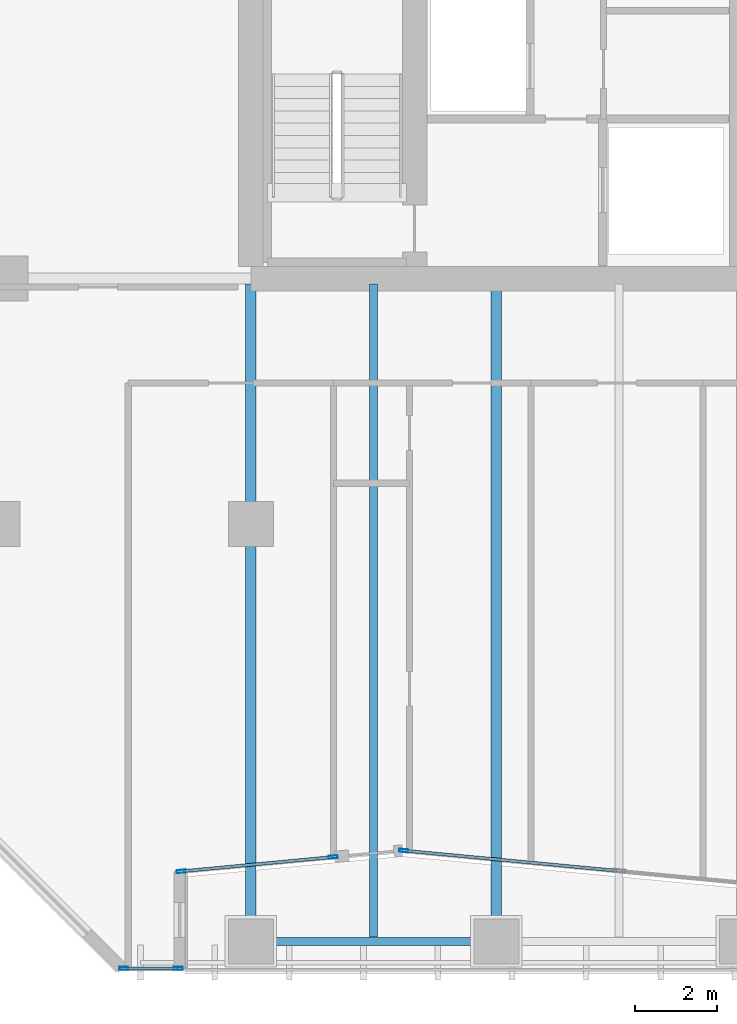
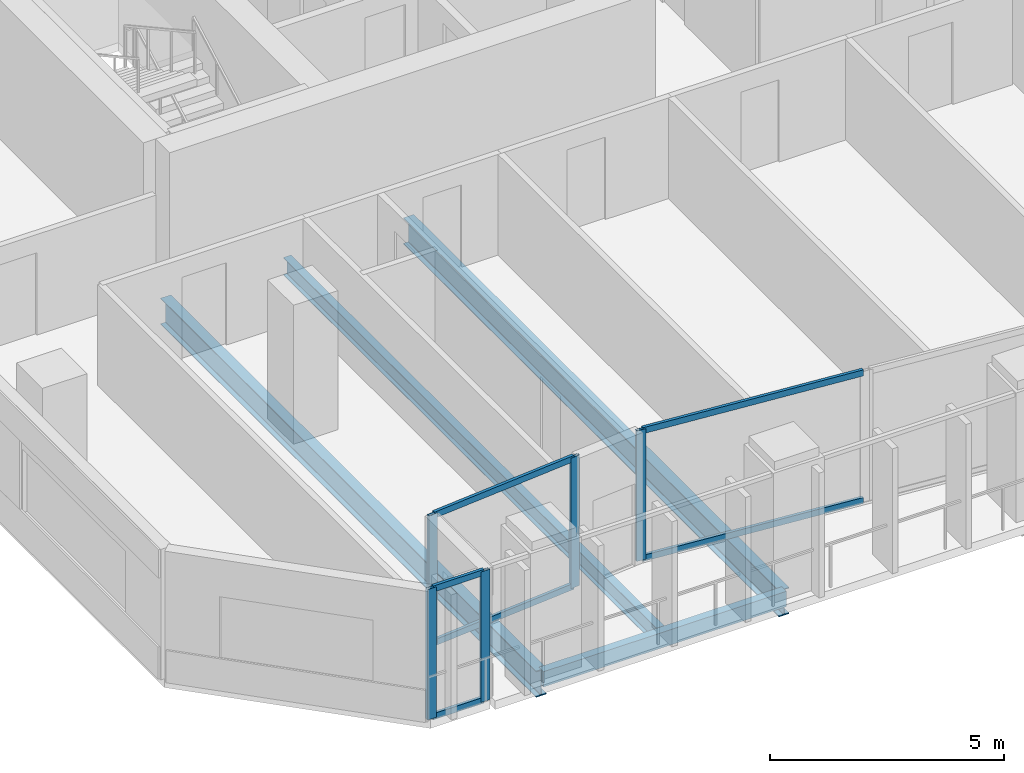
# One storey, part 2 of 31: 11 members, 4 beams, 3 elements without a shape of their own.
"""IFC4 building model written with IfcOpenShell, lengths in metres."""

from ifc_helpers import new_model, si_unit, direction, frame, origin, origin_2d, place, context, subcontext, project, spatial, hollow_rectangle, i_section, extrude, material, layer, layer_set, material_profile, profile_set, type_object, element, aggregate, save


model = new_model("IFC4")

# Units and contexts
model_context = context("Model", 3, precision=1e-05, world=origin(), true_north=direction((0.0, 1.0)))
body_context = subcontext(model_context, "Body", "Model", "MODEL_VIEW")
ifc_project = project(units=[si_unit("LENGTHUNIT", "METRE"), si_unit("AREAUNIT", "SQUARE_METRE"), si_unit("VOLUMEUNIT", "CUBIC_METRE"), si_unit("PLANEANGLEUNIT", "RADIAN"), si_unit("MASSUNIT", "GRAM", prefix="KILO")], contexts=[model_context])

# Site, building, storey
site_placement = place(None, origin())
site = spatial("IfcSite", under=ifc_project, at=site_placement, CompositionType="ELEMENT")
building_placement = place(site_placement, origin())
building = spatial("IfcBuilding", under=site, at=building_placement, Name="Tanjung Sevakor Pilgrim Tower", CompositionType="ELEMENT")
storey_placement = place(building_placement, frame((0.0, 0.0, 58.739990234375)))
storey = spatial("IfcBuildingStorey", under=building, at=storey_placement, Name="L16", CompositionType="ELEMENT", Elevation=58.739990234375)

# Beams
ifc_material_1 = material(Name="Steel S355J2", Category="steel")
ifc_material_profile_1 = material_profile(ifc_material_1, i_section(OverallWidth=0.25439453125, OverallDepth=0.6875, WebThickness=0.01318359375, FlangeThickness=0.02099609375, FilletRadius=0.01513671875, at=origin_2d()))
ifc_profile_set_1 = profile_set([ifc_material_profile_1], Name="Steel S355J2")
beam_type_1 = type_object("IfcBeamType", Name="BM-B-G2-UB_686x254x152", PredefinedType="BEAM", material=ifc_profile_set_1)
for number, where, z_axis, x_axis, name in (
    (1, (24.0, 8.39990234375, -0.563720703125), (0.0, 1.0, 0.0), (-1.0, 0.0, 0.0), "L16 MAIN Girder 001"),
    (2, (30.0, 8.39990234375, -0.563720703125), (0.0, 1.0, 0.0), (-1.0, 0.0, 0.0), "L16 MAIN Girder 005"),
):
    element("IfcBeam", number, at=place(storey_placement, frame(where, z_axis=z_axis, x_axis=x_axis)), inside=storey, type_object=beam_type_1, Name=name, PredefinedType="BEAM", context=body_context, shape_type="SweptSolid", body=[
        extrude(i_section(OverallWidth=0.25439453125, OverallDepth=0.6875, WebThickness=0.01318359375, FlangeThickness=0.02099609375, FilletRadius=0.01513671875, at=origin_2d()), origin(), (0.0, 0.0, 1.0), 16.066162109375),
    ])
ifc_material_2 = material(Name="Steel S355J2", Category="steel")
ifc_material_profile_2 = material_profile(ifc_material_2, i_section(OverallWidth=0.19140625, OverallDepth=0.4599609375, WebThickness=0.010009765625, FlangeThickness=0.01611328125, FilletRadius=0.01025390625, at=origin_2d()))
ifc_profile_set_2 = profile_set([ifc_material_profile_2], Name="Steel S355J2")
beam_type_2 = type_object("IfcBeamType", Name="BM-B-J2-UB_457x191x82", PredefinedType="JOIST", material=ifc_profile_set_2)
beam_1_placement = place(storey_placement, frame((27.0, 8.5, -0.449951171875), z_axis=(0.0, 1.0, 0.0), x_axis=(-1.0, 0.0, 0.0)))
element("IfcBeam", 3, at=beam_1_placement, inside=storey, type_object=beam_type_2, Name="L16 MAIN Joist 003", PredefinedType="JOIST", context=body_context, shape_type="SweptSolid", body=[
    extrude(i_section(OverallWidth=0.19140625, OverallDepth=0.4599609375, WebThickness=0.010009765625, FlangeThickness=0.01611328125, FilletRadius=0.01025390625, at=origin_2d()), origin(), (0.0, 0.0, 1.0), 15.966064453125),
])
ifc_material_3 = material(Name="Steel S355J2", Category="steel")
ifc_material_profile_3 = material_profile(ifc_material_3, hollow_rectangle(XDim=0.199951171875, YDim=0.39990234375, WallThickness=0.01611328125, at=origin_2d()))
ifc_profile_set_3 = profile_set([ifc_material_profile_3], Name="Steel S355J2")
beam_type_3 = type_object("IfcBeamType", Name="BM-B-SP2-RHS_400x200x16", PredefinedType="SPANDREL", material=ifc_profile_set_3)
beam_2_placement = place(storey_placement, frame((24.0, 8.39990234375, -0.419921875), z_axis=(1.0, 0.0, 0.0), x_axis=(0.0, 1.0, 0.0)))
element("IfcBeam", 4, at=beam_2_placement, inside=storey, type_object=beam_type_3, Name="L16 Spandrel MAIN S-01", PredefinedType="SPANDREL", context=body_context, shape_type="SweptSolid", body=[
    extrude(hollow_rectangle(XDim=0.199951171875, YDim=0.39990234375, WallThickness=0.01611328125, at=origin_2d()), origin(), (0.0, 0.0, 1.0), 6.0),
])

# Curtain wall, members
ifc_material_4 = material(Name="Aluminium 6063-T6 and Low-E Glass", Category="aluminium")
ifc_layer = layer(ifc_material_4, 0.199951171875)
ifc_layer_set = layer_set([ifc_layer], Name="CW-SYS-PRAY")
curtain_wall_type = type_object("IfcCurtainWallType", Name="CW-SYS-PRAY", PredefinedType="NOTDEFINED", material=ifc_layer_set)
curtain_wall_1_placement = place(storey_placement, origin())
curtain_wall_1 = element("IfcCurtainWall", 5, at=curtain_wall_1_placement, inside=storey, type_object=curtain_wall_type, Name="L16 Curtain Wall CW-PRY-L16-0", PredefinedType="NOTDEFINED")
ifc_material_5 = material(Name="Aluminium 6063-T6", Category="aluminium")
ifc_material_profile_4 = material_profile(ifc_material_5, hollow_rectangle(XDim=0.074951171875, YDim=0.219970703125, WallThickness=0.0048828125, at=origin_2d()))
ifc_profile_set_4 = profile_set([ifc_material_profile_4], Name="Aluminium 6063-T6")
member_type_1 = type_object("IfcMemberType", Name="TYPE-CWM-2", PredefinedType="MULLION", material=ifc_profile_set_4)
member_1_placement = place(storey_placement, frame((20.8955078125, 7.739990234375, 0.0), z_axis=(0.0, 0.0, 1.0), x_axis=(0.0, 1.0, 0.0)))
member_1 = element("IfcMember", 6, at=member_1_placement, type_object=member_type_1, Name="CW-PRY mullion 1", PredefinedType="MULLION", context=body_context, shape_type="SweptSolid", body=[
    extrude(hollow_rectangle(XDim=0.074951171875, YDim=0.219970703125, WallThickness=0.0048828125, at=origin_2d()), origin(), (0.0, 0.0, 1.0), 3.409912109375),
])
member_2_placement = place(storey_placement, frame((22.222412109375, 7.739990234375, 0.0), z_axis=(0.0, 0.0, 1.0), x_axis=(0.0, 1.0, 0.0)))
member_2 = element("IfcMember", 7, at=member_2_placement, type_object=member_type_1, Name="CW-PRY mullion 2", PredefinedType="MULLION", context=body_context, shape_type="SweptSolid", body=[
    extrude(hollow_rectangle(XDim=0.074951171875, YDim=0.219970703125, WallThickness=0.0048828125, at=origin_2d()), origin(), (0.0, 0.0, 1.0), 3.409912109375),
])

curtain_wall_2_placement = place(storey_placement, origin())
curtain_wall_2 = element("IfcCurtainWall", 8, at=curtain_wall_2_placement, inside=storey, type_object=curtain_wall_type, Name="L16 Curtain Wall CW-PRY-L16-2A", PredefinedType="NOTDEFINED")
member_3_placement = place(storey_placement, frame((22.29736328125, 10.11083984375, 0.0), z_axis=(0.0, 0.0, 1.0), x_axis=(-0.09392210299, 0.995579549092, 0.0)))
member_3 = element("IfcMember", 9, at=member_3_placement, type_object=member_type_1, Name="CW-PRY mullion 1", PredefinedType="MULLION", context=body_context, shape_type="SweptSolid", body=[
    extrude(hollow_rectangle(XDim=0.074951171875, YDim=0.219970703125, WallThickness=0.0048828125, at=origin_2d()), origin(), (0.0, 0.0, 1.0), 3.409912109375),
])
member_4_placement = place(storey_placement, frame((26.010009765625, 10.461181640625, 0.0), z_axis=(0.0, 0.0, 1.0), x_axis=(-0.09392210299, 0.995579549092, 0.0)))
member_4 = element("IfcMember", 10, at=member_4_placement, type_object=member_type_1, Name="CW-PRY mullion 2", PredefinedType="MULLION", context=body_context, shape_type="SweptSolid", body=[
    extrude(hollow_rectangle(XDim=0.074951171875, YDim=0.219970703125, WallThickness=0.0048828125, at=origin_2d()), origin(), (0.0, 0.0, 1.0), 3.409912109375),
])

# Curtain wall, member
curtain_wall_3_placement = place(storey_placement, origin())
curtain_wall_3 = element("IfcCurtainWall", 11, at=curtain_wall_3_placement, inside=storey, type_object=curtain_wall_type, Name="L16 Curtain Wall CW-PRY-L16-3", PredefinedType="NOTDEFINED")
member_5_placement = place(storey_placement, frame((27.7373046875, 10.6171875, 0.0), z_axis=(0.0, 0.0, 1.0), x_axis=(0.09391593637, 0.995580130826, 0.0)))
member_5 = element("IfcMember", 12, at=member_5_placement, type_object=member_type_1, Name="CW-PRY mullion 1", PredefinedType="MULLION", context=body_context, shape_type="SweptSolid", body=[
    extrude(hollow_rectangle(XDim=0.074951171875, YDim=0.219970703125, WallThickness=0.0048828125, at=origin_2d()), origin(), (0.0, 0.0, 1.0), 3.409912109375),
])

# Member
ifc_material_6 = material(Name="Aluminium 6063-T6", Category="aluminium")
ifc_material_profile_5 = material_profile(ifc_material_6, hollow_rectangle(XDim=0.074951171875, YDim=0.159912109375, WallThickness=0.00439453125, at=origin_2d()))
ifc_profile_set_5 = profile_set([ifc_material_profile_5], Name="Aluminium 6063-T6")
member_type_2 = type_object("IfcMemberType", Name="TYPE-CWT-2", PredefinedType="USERDEFINED", material=ifc_profile_set_5)
member_6_placement = place(storey_placement, frame((20.93310546875, 7.739990234375, 0.03759765625), z_axis=(1.0, 0.0, 0.0), x_axis=(0.0, 1.0, 0.0)))
member_6 = element("IfcMember", 13, at=member_6_placement, type_object=member_type_2, Name="CW-PRY transom 1.1", ObjectType="TRANSOM", PredefinedType="USERDEFINED", context=body_context, shape_type="SweptSolid", body=[
    extrude(hollow_rectangle(XDim=0.074951171875, YDim=0.159912109375, WallThickness=0.00439453125, at=origin_2d()), origin(), (0.0, 0.0, 1.0), 1.251953125),
])

member_7_placement = place(storey_placement, frame((20.93310546875, 7.739990234375, 3.37255859375), z_axis=(1.0, 0.0, 0.0), x_axis=(0.0, 1.0, 0.0)))
member_7 = element("IfcMember", 14, at=member_7_placement, type_object=member_type_2, Name="CW-PRY transom 1.2", ObjectType="TRANSOM", PredefinedType="USERDEFINED", context=body_context, shape_type="SweptSolid", body=[
    extrude(hollow_rectangle(XDim=0.074951171875, YDim=0.159912109375, WallThickness=0.00439453125, at=origin_2d()), origin(), (0.0, 0.0, 1.0), 1.251953125),
])

aggregate(curtain_wall_1, [member_1, member_2, member_6, member_7])

member_8_placement = place(storey_placement, frame((22.334716796875, 10.114501953125, 0.03759765625), z_axis=(0.995577970177, 0.093938838069, 0.0), x_axis=(-0.093938838069, 0.995577970177, 0.0)))
member_8 = element("IfcMember", 15, at=member_8_placement, type_object=member_type_2, Name="CW-PRY transom 1.1", ObjectType="TRANSOM", PredefinedType="USERDEFINED", context=body_context, shape_type="SweptSolid", body=[
    extrude(hollow_rectangle(XDim=0.074951171875, YDim=0.159912109375, WallThickness=0.00439453125, at=origin_2d()), origin(), (0.0, 0.0, 1.0), 3.654052734375),
])

member_9_placement = place(storey_placement, frame((22.334716796875, 10.114501953125, 3.37255859375), z_axis=(0.995577970177, 0.093938838069, 0.0), x_axis=(-0.093938838069, 0.995577970177, 0.0)))
member_9 = element("IfcMember", 16, at=member_9_placement, type_object=member_type_2, Name="CW-PRY transom 1.2", ObjectType="TRANSOM", PredefinedType="USERDEFINED", context=body_context, shape_type="SweptSolid", body=[
    extrude(hollow_rectangle(XDim=0.074951171875, YDim=0.159912109375, WallThickness=0.00439453125, at=origin_2d()), origin(), (0.0, 0.0, 1.0), 3.654052734375),
])

aggregate(curtain_wall_2, [member_3, member_4, member_8, member_9])

member_10_placement = place(storey_placement, frame((27.774658203125, 10.613525390625, 0.03759765625), z_axis=(0.995581163468, -0.093904988942, 0.0), x_axis=(0.093904988942, 0.995581163468, 0.0)))
member_10 = element("IfcMember", 17, at=member_10_placement, type_object=member_type_2, Name="CW-PRY transom 1.1", ObjectType="TRANSOM", PredefinedType="USERDEFINED", context=body_context, shape_type="SweptSolid", body=[
    extrude(hollow_rectangle(XDim=0.074951171875, YDim=0.159912109375, WallThickness=0.00439453125, at=origin_2d()), origin(), (0.0, 0.0, 1.0), 5.186767578125),
])

member_11_placement = place(storey_placement, frame((27.774658203125, 10.613525390625, 3.37255859375), z_axis=(0.995581163468, -0.093904988942, 0.0), x_axis=(0.093904988942, 0.995581163468, 0.0)))
member_11 = element("IfcMember", 18, at=member_11_placement, type_object=member_type_2, Name="CW-PRY transom 1.2", ObjectType="TRANSOM", PredefinedType="USERDEFINED", context=body_context, shape_type="SweptSolid", body=[
    extrude(hollow_rectangle(XDim=0.074951171875, YDim=0.159912109375, WallThickness=0.00439453125, at=origin_2d()), origin(), (0.0, 0.0, 1.0), 5.186767578125),
])

aggregate(curtain_wall_3, [member_5, member_10, member_11])

save(model, "model.ifc")
